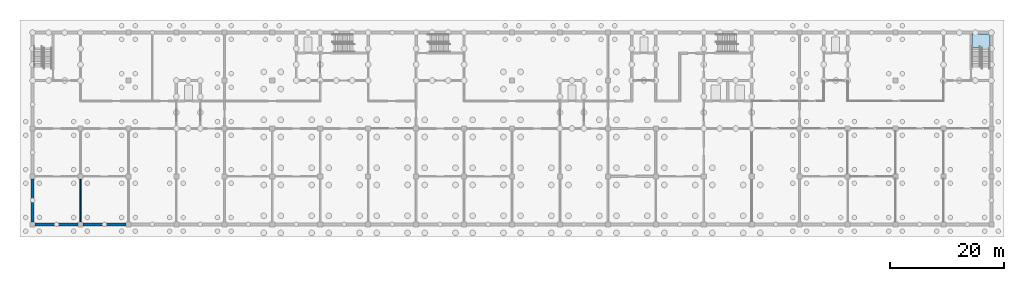
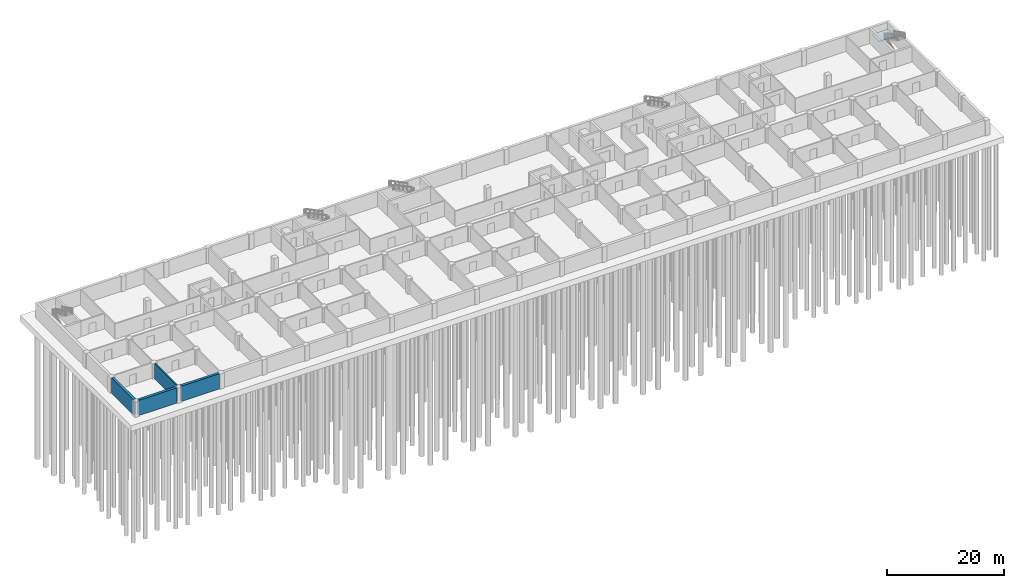
# One storey, part 3 of 11: 4 walls, 1 slab, 1 element without a shape of its own.
"""IFC4 building model written with IfcOpenShell, lengths in metres."""

from ifc_helpers import new_model, si_unit, direction, frame, frame_2d, origin, place, context, subcontext, project, spatial, polyline, rectangle, outline, extrude, material, layer, layer_set, type_object, element, aggregate, save


model = new_model("IFC4")

# Units and contexts
model_context = context("Model", 3, precision=1e-05, world=origin(), true_north=direction((0.0, 1.0)))
body_context = subcontext(model_context, "Body", "Model", "MODEL_VIEW")
ifc_project = project(units=[si_unit("LENGTHUNIT", "METRE"), si_unit("AREAUNIT", "SQUARE_METRE"), si_unit("VOLUMEUNIT", "CUBIC_METRE"), si_unit("PLANEANGLEUNIT", "RADIAN"), si_unit("MASSUNIT", "GRAM", prefix="KILO")], contexts=[model_context])

# Site, building, storey
site_placement = place(None, origin())
site = spatial("IfcSite", under=ifc_project, at=site_placement, CompositionType="ELEMENT")
building_placement = place(site_placement, origin())
building = spatial("IfcBuilding", under=site, at=building_placement, Name="Yavir Park General Hospital", CompositionType="ELEMENT")
storey_placement = place(building_placement, frame((0.0, 0.0, -15.0)))
storey = spatial("IfcBuildingStorey", under=building, at=storey_placement, Name="B4", CompositionType="ELEMENT", Elevation=-15.0)

# Stair, slab
ifc_material_1 = material(Name="Concrete C30/37", Category="concrete")
stair_type = type_object("IfcStairType", Name="Patient escape stair, 24 risers of 150 mm, 1400 mm flights", PredefinedType="HALF_TURN_STAIR", material=ifc_material_1)
stair_placement = place(storey_placement, origin())
stair = element("IfcStair", 1, at=stair_placement, inside=storey, type_object=stair_type, Name="Stair BS5, B4 to B3", PredefinedType="HALF_TURN_STAIR")
ifc_material_2 = material(Name="Concrete C30/37", Category="concrete")
ifc_layer_1 = layer(ifc_material_2, 0.159912109375)
ifc_layer_set_1 = layer_set([ifc_layer_1], Name="Concrete C30/37")
slab_type = type_object("IfcSlabType", Name="Patient escape stair half landing, reinforced concrete 160 mm", PredefinedType="LANDING", material=ifc_layer_set_1)
slab_placement = place(storey_placement, frame((0.0, 0.0, 1.639892578125)))
slab = element("IfcSlab", 2, at=slab_placement, type_object=slab_type, Name="BS5 landing 1", PredefinedType="LANDING", context=body_context, shape_type="SweptSolid", body=[
    extrude(outline(polyline([(164.60009765625, 30.8984375), (164.60009765625, 33.35009765625), (167.75, 33.35009765625), (167.75, 30.75), (166.300048828125, 30.75), (166.300048828125, 30.8984375), (164.60009765625, 30.8984375)])), origin(), (0.0, 0.0, 1.0), 0.16015625),
])
aggregate(stair, [slab])

# Walls
ifc_material_3 = material(Name="Double gypsum board fire partition on steel studs", Category="steel")
ifc_layer_2 = layer(ifc_material_3, 0.199951171875)
ifc_layer_set_2 = layer_set([ifc_layer_2], Name="Double gypsum board fire partition on steel studs")
wall_type_1 = type_object("IfcWallType", Name="Fire-rated partition 200, EI 60", PredefinedType="PARTITIONING", material=ifc_layer_set_2)
wall_placement = place(storey_placement, frame((8.39990234375, 0.449951171875, 0.0), z_axis=(0.0, 0.0, 1.0), x_axis=(0.0, 1.0, 0.0)))
element("IfcWall", 3, at=wall_placement, inside=storey, type_object=wall_type_1, Name="FP20 B4-058", PredefinedType="PARTITIONING", context=body_context, shape_type="SweptSolid", body=[
    extrude(rectangle(XDim=7.5, YDim=0.199951171875, at=frame_2d((3.75, 0.0))), origin(), (0.0, 0.0, 1.0), 3.199951171875),
])
ifc_material_4 = material(Name="Concrete C35/45", Category="concrete")
ifc_layer_3 = layer(ifc_material_4, 0.5)
ifc_layer_set_3 = layer_set([ifc_layer_3], Name="Concrete C35/45")
wall_type_2 = type_object("IfcWallType", Name="RC WALL RETAINING 500", PredefinedType="SOLIDWALL", material=ifc_layer_set_3)
for number, where, z_axis, x_axis, name in (
    (4, (0.449951171875, 0.0, 0.0), (0.0, 0.0, 1.0), (1.0, 0.0, 0.0), "W:RET:B4:S0"),
    (5, (8.85009765625, 0.0, 0.0), (0.0, 0.0, 1.0), (1.0, 0.0, 0.0), "W:RET:B4:S1"),
    (6, (0.0, 0.449951171875, 0.0), (0.0, 0.0, 1.0), (0.0, 1.0, 0.0), "W:RET:B4:W30"),
):
    element("IfcWall", number, at=place(storey_placement, frame(where, z_axis=z_axis, x_axis=x_axis)), inside=storey, type_object=wall_type_2, Name=name, PredefinedType="SOLIDWALL", context=body_context, shape_type="SweptSolid", body=[
        extrude(rectangle(XDim=7.5, YDim=0.5, at=frame_2d((3.75, 0.0))), origin(), (0.0, 0.0, 1.0), 3.199951171875),
    ])

save(model, "model.ifc")
